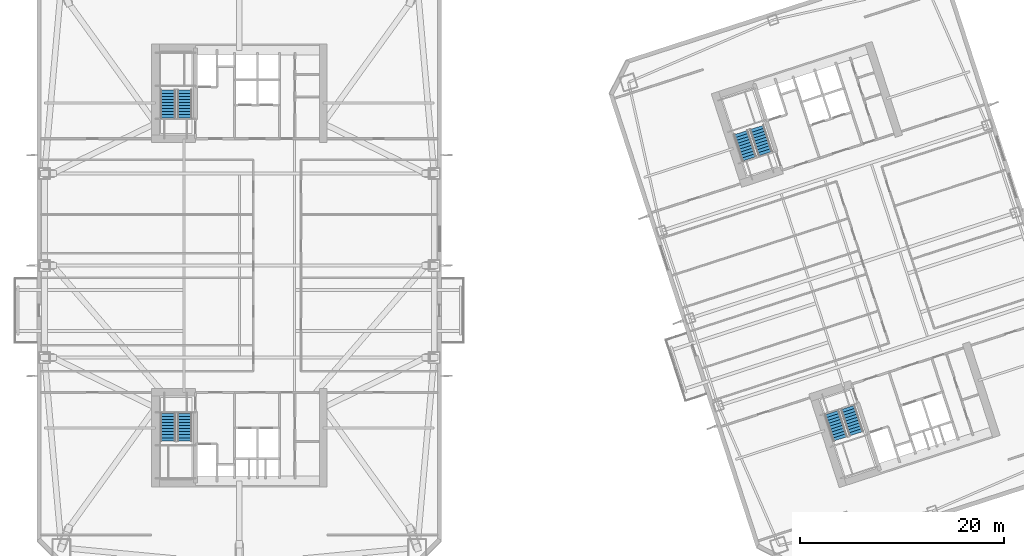
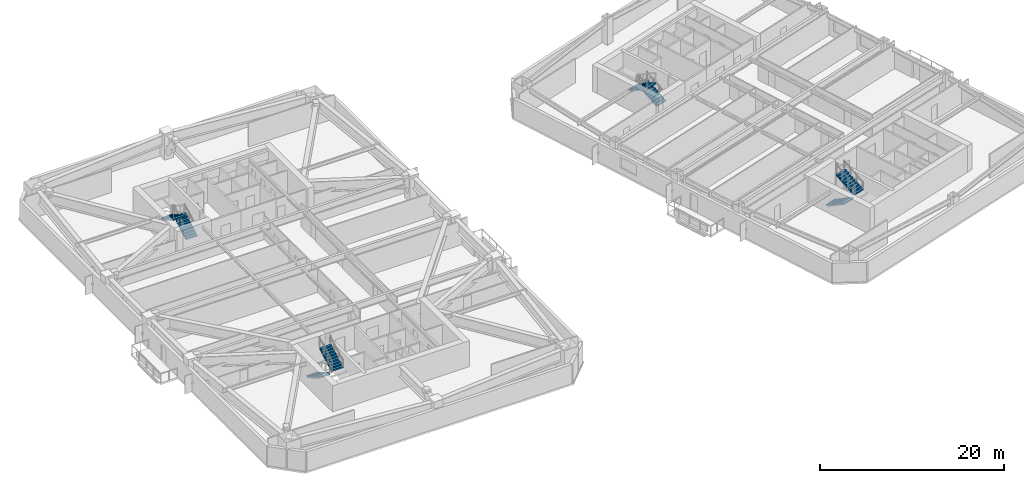
# One storey, part 12 of 19: 8 stair flights, 4 elements without a shape of their own.
"""IFC4 building model written with IfcOpenShell, lengths in metres."""

from ifc_helpers import new_model, si_unit, direction, frame, origin, place, context, subcontext, project, spatial, polyline, outline, extrude, material, type_object, element, aggregate, save


model = new_model("IFC4")

# Units and contexts
model_context = context("Model", 3, precision=1e-05, world=origin(), true_north=direction((0.0, 1.0)))
body_context = subcontext(model_context, "Body", "Model", "MODEL_VIEW")
ifc_project = project(units=[si_unit("LENGTHUNIT", "METRE"), si_unit("AREAUNIT", "SQUARE_METRE"), si_unit("VOLUMEUNIT", "CUBIC_METRE"), si_unit("PLANEANGLEUNIT", "RADIAN"), si_unit("MASSUNIT", "GRAM", prefix="KILO")], contexts=[model_context])

# Site, building, storey
site_placement = place(None, origin())
site = spatial("IfcSite", under=ifc_project, at=site_placement, CompositionType="ELEMENT")
building_placement = place(site_placement, origin())
building = spatial("IfcBuilding", under=site, at=building_placement, Name="Qiaolan Cultural Towers", CompositionType="ELEMENT")
storey_placement = place(building_placement, frame((0.0, 0.0, 88.550048828125)))
storey = spatial("IfcBuildingStorey", under=building, at=storey_placement, Name="L22", CompositionType="ELEMENT", Elevation=88.550048828125)

# Stair, stair flights
ifc_material_1 = material(Name="Concrete C45", Category="concrete")
stair_type = type_object("IfcStairType", Name="STR-CORE-1500", PredefinedType="HALF_TURN_STAIR", material=ifc_material_1)
stair_1_placement = place(storey_placement, origin())
stair_1 = element("IfcStair", 1, at=stair_1_placement, inside=storey, type_object=stair_type, Name="L22 Smokeproof Exit Stair ST-W1", PredefinedType="HALF_TURN_STAIR")
ifc_material_2 = material(Name="Concrete C45", Category="concrete")
stair_flight_type = type_object("IfcStairFlightType", Name="STR-CORE-1500-FL", PredefinedType="STRAIGHT", material=ifc_material_2)
stair_flight_1_placement = place(storey_placement, frame((23.02001953125, 19.550048828125, 0.0), z_axis=(0.0, 0.0, 1.0), x_axis=(0.0, -1.0, 0.0)))
stair_flight_1 = element("IfcStairFlight", 2, at=stair_flight_1_placement, type_object=stair_flight_type, Name="ST-W1 flight 1", NumberOfRisers=10, NumberOfTreads=9, PredefinedType="STRAIGHT", RiserHeight=0.1725, TreadLength=0.3, context=body_context, shape_type="SweptSolid", body=[
    extrude(outline(polyline([(0.0, 0.0), (0.0, 0.172607421875), (0.300048828125, 0.172607421875), (0.300048828125, 0.344970703125), (0.60009765625, 0.344970703125), (0.60009765625, 0.517578125), (0.89990234375, 0.517578125), (0.89990234375, 0.68994140625), (1.199951171875, 0.68994140625), (1.199951171875, 0.862548828125), (1.5, 0.862548828125), (1.5, 1.034912109375), (1.800048828125, 1.034912109375), (1.800048828125, 1.20751953125), (2.10009765625, 1.20751953125), (2.10009765625, 1.3798828125), (2.39990234375, 1.3798828125), (2.39990234375, 1.552490234375), (2.699951171875, 1.552490234375), (2.699951171875, 1.72509765625), (2.699951171875, 1.379638671875), (0.30078125, 0.0), (0.0, 0.0)])), frame((0.0, 0.719970703125, 0.0), z_axis=(0.0, -1.0, 0.0), x_axis=(1.0, 0.0, 0.0)), (0.0, 0.0, 1.0), 1.43994140625),
])
stair_flight_2_placement = place(storey_placement, frame((24.659912109375, 16.85009765625, 1.724853515625), z_axis=(0.0, 0.0, 1.0), x_axis=(0.0, 1.0, 0.0)))
stair_flight_2 = element("IfcStairFlight", 3, at=stair_flight_2_placement, type_object=stair_flight_type, Name="ST-W1 flight 2", NumberOfRisers=10, NumberOfTreads=9, PredefinedType="STRAIGHT", RiserHeight=0.1725, TreadLength=0.3, context=body_context, shape_type="SweptSolid", body=[
    extrude(outline(polyline([(0.0, 0.0), (0.0, 0.172607421875), (0.300048828125, 0.172607421875), (0.300048828125, 0.344970703125), (0.60009765625, 0.344970703125), (0.60009765625, 0.517578125), (0.89990234375, 0.517578125), (0.89990234375, 0.68994140625), (1.199951171875, 0.68994140625), (1.199951171875, 0.862548828125), (1.5, 0.862548828125), (1.5, 1.034912109375), (1.800048828125, 1.034912109375), (1.800048828125, 1.20751953125), (2.10009765625, 1.20751953125), (2.10009765625, 1.3798828125), (2.39990234375, 1.3798828125), (2.39990234375, 1.552490234375), (2.699951171875, 1.552490234375), (2.699951171875, 1.72509765625), (2.699951171875, 1.379638671875), (0.30078125, 0.0), (0.0, 0.0)])), frame((0.0, 0.719970703125, 0.0), z_axis=(0.0, -1.0, 0.0), x_axis=(1.0, 0.0, 0.0)), (0.0, 0.0, 1.0), 1.43994140625),
])
aggregate(stair_1, [stair_flight_1, stair_flight_2])

stair_2_placement = place(storey_placement, origin())
stair_2 = element("IfcStair", 4, at=stair_2_placement, inside=storey, type_object=stair_type, Name="L22 Smokeproof Exit Stair ST-W2", PredefinedType="HALF_TURN_STAIR")
stair_flight_3_placement = place(storey_placement, frame((24.659912109375, 48.449951171875, 0.0), z_axis=(0.0, 0.0, 1.0), x_axis=(0.0, 1.0, 0.0)))
stair_flight_3 = element("IfcStairFlight", 5, at=stair_flight_3_placement, type_object=stair_flight_type, Name="ST-W2 flight 1", NumberOfRisers=10, NumberOfTreads=9, PredefinedType="STRAIGHT", RiserHeight=0.1725, TreadLength=0.3, context=body_context, shape_type="SweptSolid", body=[
    extrude(outline(polyline([(0.0, 0.0), (0.0, 0.172607421875), (0.300048828125, 0.172607421875), (0.300048828125, 0.344970703125), (0.60009765625, 0.344970703125), (0.60009765625, 0.517578125), (0.89990234375, 0.517578125), (0.89990234375, 0.68994140625), (1.199951171875, 0.68994140625), (1.199951171875, 0.862548828125), (1.5, 0.862548828125), (1.5, 1.034912109375), (1.800048828125, 1.034912109375), (1.800048828125, 1.20751953125), (2.10009765625, 1.20751953125), (2.10009765625, 1.3798828125), (2.39990234375, 1.3798828125), (2.39990234375, 1.552490234375), (2.699951171875, 1.552490234375), (2.699951171875, 1.72509765625), (2.699951171875, 1.379638671875), (0.30078125, 0.0), (0.0, 0.0)])), frame((0.0, 0.719970703125, 0.0), z_axis=(0.0, -1.0, 0.0), x_axis=(1.0, 0.0, 0.0)), (0.0, 0.0, 1.0), 1.43994140625),
])
stair_flight_4_placement = place(storey_placement, frame((23.02001953125, 51.14990234375, 1.724853515625), z_axis=(0.0, 0.0, 1.0), x_axis=(0.0, -1.0, 0.0)))
stair_flight_4 = element("IfcStairFlight", 6, at=stair_flight_4_placement, type_object=stair_flight_type, Name="ST-W2 flight 2", NumberOfRisers=10, NumberOfTreads=9, PredefinedType="STRAIGHT", RiserHeight=0.1725, TreadLength=0.3, context=body_context, shape_type="SweptSolid", body=[
    extrude(outline(polyline([(0.0, 0.0), (0.0, 0.172607421875), (0.300048828125, 0.172607421875), (0.300048828125, 0.344970703125), (0.60009765625, 0.344970703125), (0.60009765625, 0.517578125), (0.89990234375, 0.517578125), (0.89990234375, 0.68994140625), (1.199951171875, 0.68994140625), (1.199951171875, 0.862548828125), (1.5, 0.862548828125), (1.5, 1.034912109375), (1.800048828125, 1.034912109375), (1.800048828125, 1.20751953125), (2.10009765625, 1.20751953125), (2.10009765625, 1.3798828125), (2.39990234375, 1.3798828125), (2.39990234375, 1.552490234375), (2.699951171875, 1.552490234375), (2.699951171875, 1.72509765625), (2.699951171875, 1.379638671875), (0.30078125, 0.0), (0.0, 0.0)])), frame((0.0, 0.719970703125, 0.0), z_axis=(0.0, -1.0, 0.0), x_axis=(1.0, 0.0, 0.0)), (0.0, 0.0, 1.0), 1.43994140625),
])
aggregate(stair_2, [stair_flight_3, stair_flight_4])

stair_3_placement = place(storey_placement, origin())
stair_3 = element("IfcStair", 7, at=stair_3_placement, inside=storey, type_object=stair_type, Name="L22 Smokeproof Exit Stair ST-E1", PredefinedType="HALF_TURN_STAIR")
stair_flight_5_placement = place(storey_placement, frame((87.96484375, 19.6171875, 0.0), z_axis=(0.0, 0.0, 1.0), x_axis=(0.309016994375, -0.951056516295, 0.0)))
stair_flight_5 = element("IfcStairFlight", 8, at=stair_flight_5_placement, type_object=stair_flight_type, Name="ST-E1 flight 1", NumberOfRisers=10, NumberOfTreads=9, PredefinedType="STRAIGHT", RiserHeight=0.1725, TreadLength=0.3, context=body_context, shape_type="SweptSolid", body=[
    extrude(outline(polyline([(0.0, 0.0), (0.0, 0.172607421875), (0.300048828125, 0.172607421875), (0.300048828125, 0.344970703125), (0.60009765625, 0.344970703125), (0.60009765625, 0.517578125), (0.89990234375, 0.517578125), (0.89990234375, 0.68994140625), (1.199951171875, 0.68994140625), (1.199951171875, 0.862548828125), (1.5, 0.862548828125), (1.5, 1.034912109375), (1.800048828125, 1.034912109375), (1.800048828125, 1.20751953125), (2.10009765625, 1.20751953125), (2.10009765625, 1.3798828125), (2.39990234375, 1.3798828125), (2.39990234375, 1.552490234375), (2.699951171875, 1.552490234375), (2.699951171875, 1.72509765625), (2.699951171875, 1.379638671875), (0.30078125, 0.0), (0.0, 0.0)])), frame((0.0, 0.719970703125, 0.0), z_axis=(0.0, -1.0, 0.0), x_axis=(1.0, 0.0, 0.0)), (0.0, 0.0, 1.0), 1.43994140625),
])
stair_flight_6_placement = place(storey_placement, frame((90.359130859375, 17.55615234375, 1.724853515625), z_axis=(0.0, 0.0, 1.0), x_axis=(-0.309016994375, 0.951056516295, 0.0)))
stair_flight_6 = element("IfcStairFlight", 9, at=stair_flight_6_placement, type_object=stair_flight_type, Name="ST-E1 flight 2", NumberOfRisers=10, NumberOfTreads=9, PredefinedType="STRAIGHT", RiserHeight=0.1725, TreadLength=0.3, context=body_context, shape_type="SweptSolid", body=[
    extrude(outline(polyline([(0.0, 0.0), (0.0, 0.172607421875), (0.300048828125, 0.172607421875), (0.300048828125, 0.344970703125), (0.60009765625, 0.344970703125), (0.60009765625, 0.517578125), (0.89990234375, 0.517578125), (0.89990234375, 0.68994140625), (1.199951171875, 0.68994140625), (1.199951171875, 0.862548828125), (1.5, 0.862548828125), (1.5, 1.034912109375), (1.800048828125, 1.034912109375), (1.800048828125, 1.20751953125), (2.10009765625, 1.20751953125), (2.10009765625, 1.3798828125), (2.39990234375, 1.3798828125), (2.39990234375, 1.552490234375), (2.699951171875, 1.552490234375), (2.699951171875, 1.72509765625), (2.699951171875, 1.379638671875), (0.30078125, 0.0), (0.0, 0.0)])), frame((0.0, 0.719970703125, 0.0), z_axis=(0.0, -1.0, 0.0), x_axis=(1.0, 0.0, 0.0)), (0.0, 0.0, 1.0), 1.43994140625),
])
aggregate(stair_3, [stair_flight_5, stair_flight_6])

stair_4_placement = place(storey_placement, origin())
stair_4 = element("IfcStair", 10, at=stair_4_placement, inside=storey, type_object=stair_type, Name="L22 Smokeproof Exit Stair ST-E2", PredefinedType="HALF_TURN_STAIR")
stair_flight_7_placement = place(storey_placement, frame((81.459228515625, 44.946533203125, 0.0), z_axis=(0.0, 0.0, 1.0), x_axis=(-0.309016994375, 0.951056516295, 0.0)))
stair_flight_7 = element("IfcStairFlight", 11, at=stair_flight_7_placement, type_object=stair_flight_type, Name="ST-E2 flight 1", NumberOfRisers=10, NumberOfTreads=9, PredefinedType="STRAIGHT", RiserHeight=0.1725, TreadLength=0.3, context=body_context, shape_type="SweptSolid", body=[
    extrude(outline(polyline([(0.0, 0.0), (0.0, 0.172607421875), (0.300048828125, 0.172607421875), (0.300048828125, 0.344970703125), (0.60009765625, 0.344970703125), (0.60009765625, 0.517578125), (0.89990234375, 0.517578125), (0.89990234375, 0.68994140625), (1.199951171875, 0.68994140625), (1.199951171875, 0.862548828125), (1.5, 0.862548828125), (1.5, 1.034912109375), (1.800048828125, 1.034912109375), (1.800048828125, 1.20751953125), (2.10009765625, 1.20751953125), (2.10009765625, 1.3798828125), (2.39990234375, 1.3798828125), (2.39990234375, 1.552490234375), (2.699951171875, 1.552490234375), (2.699951171875, 1.72509765625), (2.699951171875, 1.379638671875), (0.30078125, 0.0), (0.0, 0.0)])), frame((0.0, 0.719970703125, 0.0), z_axis=(0.0, -1.0, 0.0), x_axis=(1.0, 0.0, 0.0)), (0.0, 0.0, 1.0), 1.43994140625),
])
stair_flight_8_placement = place(storey_placement, frame((79.065185546875, 47.007568359375, 1.724853515625), z_axis=(0.0, 0.0, 1.0), x_axis=(0.309016994375, -0.951056516295, 0.0)))
stair_flight_8 = element("IfcStairFlight", 12, at=stair_flight_8_placement, type_object=stair_flight_type, Name="ST-E2 flight 2", NumberOfRisers=10, NumberOfTreads=9, PredefinedType="STRAIGHT", RiserHeight=0.1725, TreadLength=0.3, context=body_context, shape_type="SweptSolid", body=[
    extrude(outline(polyline([(0.0, 0.0), (0.0, 0.172607421875), (0.300048828125, 0.172607421875), (0.300048828125, 0.344970703125), (0.60009765625, 0.344970703125), (0.60009765625, 0.517578125), (0.89990234375, 0.517578125), (0.89990234375, 0.68994140625), (1.199951171875, 0.68994140625), (1.199951171875, 0.862548828125), (1.5, 0.862548828125), (1.5, 1.034912109375), (1.800048828125, 1.034912109375), (1.800048828125, 1.20751953125), (2.10009765625, 1.20751953125), (2.10009765625, 1.3798828125), (2.39990234375, 1.3798828125), (2.39990234375, 1.552490234375), (2.699951171875, 1.552490234375), (2.699951171875, 1.72509765625), (2.699951171875, 1.379638671875), (0.30078125, 0.0), (0.0, 0.0)])), frame((0.0, 0.719970703125, 0.0), z_axis=(0.0, -1.0, 0.0), x_axis=(1.0, 0.0, 0.0)), (0.0, 0.0, 1.0), 1.43994140625),
])
aggregate(stair_4, [stair_flight_7, stair_flight_8])

save(model, "model.ifc")
